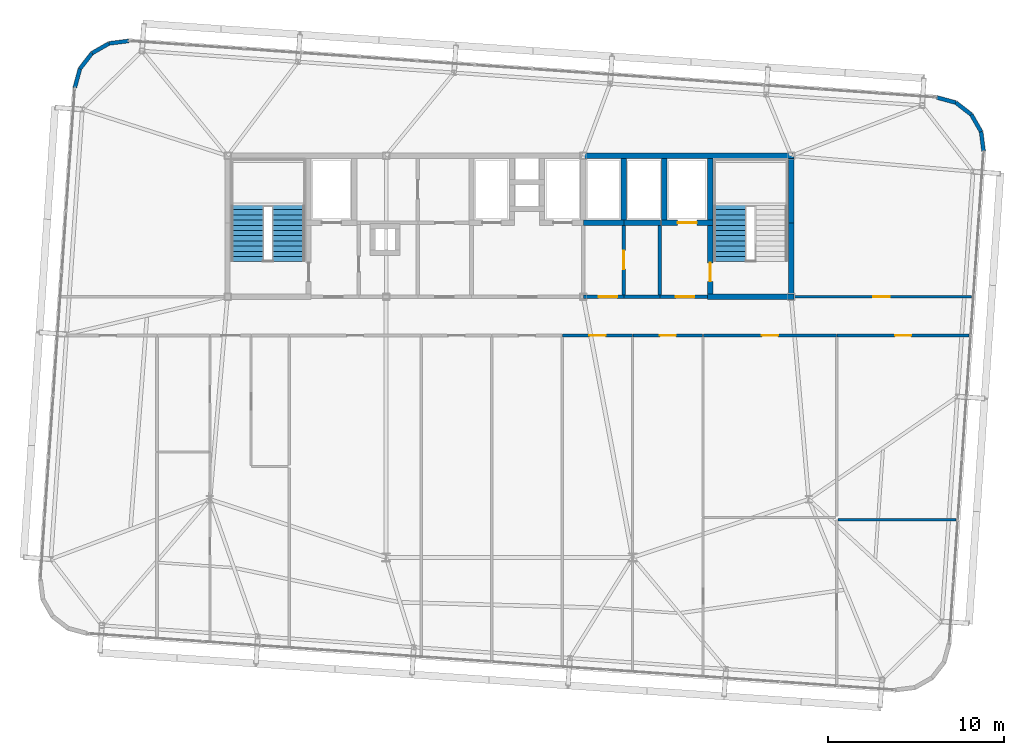
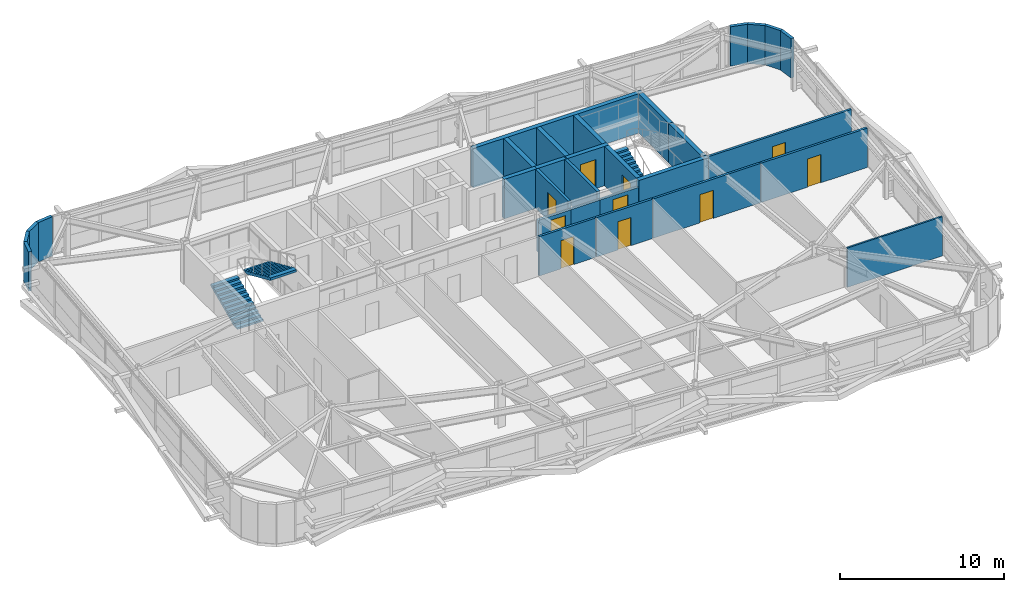
# One storey, part 43 of 47: 30 walls, 10 doors, 3 stair flights, 10 openings, 2 elements without a shape of their own.
"""IFC4 building model written with IfcOpenShell, lengths in metres."""

from ifc_helpers import new_model, si_unit, direction, frame, frame_2d, origin, place, context, subcontext, project, spatial, polyline, rectangle, outline, extrude, source, transform, mapped, material, layer, layer_set, type_object, element, fill, aggregate, save


model = new_model("IFC4")

# Units and contexts
model_context = context("Model", 3, precision=1e-05, world=origin(), true_north=direction((0.0, 1.0)))
body_context = subcontext(model_context, "Body", "Model", "MODEL_VIEW")
ifc_project = project(units=[si_unit("LENGTHUNIT", "METRE"), si_unit("AREAUNIT", "SQUARE_METRE"), si_unit("VOLUMEUNIT", "CUBIC_METRE"), si_unit("PLANEANGLEUNIT", "RADIAN"), si_unit("MASSUNIT", "GRAM", prefix="KILO")], contexts=[model_context])

# Site, building, storey
site_placement = place(None, origin())
site = spatial("IfcSite", under=ifc_project, at=site_placement, CompositionType="ELEMENT")
building_placement = place(site_placement, origin())
building = spatial("IfcBuilding", under=site, at=building_placement, Name="Taldren Reach Tower", CompositionType="ELEMENT")
storey_placement = place(building_placement, frame((0.0, 0.0, 139.300048828125)))
storey = spatial("IfcBuildingStorey", under=building, at=storey_placement, Name="L42", CompositionType="ELEMENT", Elevation=139.300048828125)

# Walls
ifc_material_1 = material(Name="Pale Champagne Anodised Aluminium Cladding", Category="aluminium")
ifc_layer_1 = layer(ifc_material_1, 0.04, Name="Pale Champagne Anodised Aluminium Cladding", Category="aluminium")
ifc_material_2 = material(Name="Mineral Wool Acoustic Insulation", Category="insulation")
ifc_layer_2 = layer(ifc_material_2, 0.06, Name="Mineral Wool Acoustic Insulation", Category="insulation")
ifc_material_3 = material(Name="Steel Gr 350 (C350L0)", Category="steel")
ifc_layer_3 = layer(ifc_material_3, 0.12, Name="Steel Gr 350 (C350L0)", Category="steel")
ifc_layer_set_1 = layer_set([ifc_layer_1, ifc_layer_2, ifc_layer_3], Name="Pale Champagne Aluminium Cladding and Steel Gr 350 Stud Framing")
wall_type_1 = type_object("IfcWallType", Name="EW-CRN-220", PredefinedType="SOLIDWALL", material=ifc_layer_set_1)
shared_shape_1 = source(origin(), body_context, "Body", "SweptSolid", [
    extrude(rectangle(XDim=1.115966796875, YDim=0.219970703125, at=frame_2d((0.55810546875, 0.0))), origin(), (0.0, 0.0, 1.0), 2.929931640625),
])
for number, where, z_axis, x_axis, name in (
    (1, (61.923583984375, 32.261962890625, 0.0), (0.0, 0.0, 1.0), (-0.126242535829, 0.991999406324, 0.0), "Rounded-corner pale-metal facade wall L42-NE1"),
    (2, (61.78271484375, 33.368896484375, 0.0), (0.0, 0.0, 1.0), (-0.496138938357, 0.868243142124, 0.0), "Rounded-corner pale-metal facade wall L42-NE2"),
    (3, (61.22900390625, 34.337890625, 0.0), (0.0, 0.0, 1.0), (-0.790716874741, 0.612182018684, 0.0), "Rounded-corner pale-metal facade wall L42-NE3"),
    (4, (60.3466796875, 35.02099609375, 0.0), (0.0, 0.0, 1.0), (-0.964804199372, 0.262969307856, 0.0), "Rounded-corner pale-metal facade wall L42-NE4"),
    (5, (13.382080078125, 38.5234375, 0.0), (0.0, 0.0, 1.0), (-0.991999406324, -0.126242535829, 0.0), "Rounded-corner pale-metal facade wall L42-NW1"),
    (6, (11.306396484375, 37.828857421875, 0.0), (0.0, 0.0, 1.0), (-0.612318787668, -0.790610967714, 0.0), "Rounded-corner pale-metal facade wall L42-NW3"),
    (7, (10.623046875, 36.946533203125, 0.0), (0.0, 0.0, 1.0), (-0.262969307856, -0.964804199372, 0.0), "Rounded-corner pale-metal facade wall L42-NW4"),
):
    element("IfcWall", number, at=place(storey_placement, frame(where, z_axis=z_axis, x_axis=x_axis)), inside=storey, type_object=wall_type_1, Name=name, PredefinedType="SOLIDWALL", context=body_context, shape_type="MappedRepresentation", body=[
        mapped(shared_shape_1, transform((0.0, 0.0, 0.0), scale=1.0)),
    ])
shared_shape_2 = source(origin(), body_context, "Body", "SweptSolid", [
    extrude(rectangle(XDim=1.11572265625, YDim=0.219970703125, at=frame_2d((0.557861328125, 0.0))), origin(), (0.0, 0.0, 1.0), 2.929931640625),
])
wall_1_placement = place(storey_placement, frame((12.275146484375, 38.382568359375, 0.0), z_axis=(0.0, 0.0, 1.0), x_axis=(-0.868189279113, -0.496233186751, 0.0)))
element("IfcWall", 8, at=wall_1_placement, inside=storey, type_object=wall_type_1, Name="Rounded-corner pale-metal facade wall L42-NW2", PredefinedType="SOLIDWALL", context=body_context, shape_type="MappedRepresentation", body=[
    mapped(shared_shape_2, transform((0.0, 0.0, 0.0), scale=1.0)),
])

# Wall, opening, door
ifc_material_4 = material(Name="Fire-Rated Acoustic Plasterboard Stud Wall", Category="gypsum")
ifc_layer_4 = layer(ifc_material_4, 0.159912109375)
ifc_layer_set_2 = layer_set([ifc_layer_4], Name="Fire-Rated Acoustic Plasterboard Stud Wall")
wall_type_2 = type_object("IfcWallType", Name="IW-FIRE-160", PredefinedType="PARTITIONING", material=ifc_layer_set_2)
shared_shape_3 = source(origin(), body_context, "Body", "SweptSolid", [
    extrude(rectangle(XDim=3.95947265625, YDim=0.159912109375, at=frame_2d((1.979736328125, 0.0))), origin(), (0.0, 0.0, 1.0), 2.929931640625),
])
wall_2_placement = place(storey_placement, frame((41.979736328125, 21.800048828125, 0.0), z_axis=(0.0, 0.0, 1.0), x_axis=(-1.0, 0.0, 0.0)))
wall_2 = element("IfcWall", 9, at=wall_2_placement, inside=storey, type_object=wall_type_2, Name="Interior Partition Wall W-INT-L42-053", PredefinedType="PARTITIONING", context=body_context, shape_type="MappedRepresentation", body=[
    mapped(shared_shape_3, transform((0.0, 0.0, 0.0), scale=1.0)),
])
shared_shape_4 = source(origin(), body_context, "Body", "SweptSolid", [
    extrude(rectangle(XDim=0.919921875, YDim=2.10009765625, at=frame_2d((0.4599609375, 1.050048828125))), frame((0.0, 0.08984375, 0.0), z_axis=(0.0, -1.0, 0.0), x_axis=(1.0, 0.0, 0.0)), (0.0, 0.0, 1.0), 0.179931640625),
])
opening_1_placement = place(wall_2_placement, frame((1.519775390625, 0.0, 0.0)))
opening_1 = element("IfcOpeningElement", 10, at=opening_1_placement, cuts=wall_2, Name="Opening DI-092", PredefinedType="OPENING", context=body_context, shape_type="MappedRepresentation", body=[
    mapped(shared_shape_4, transform((0.0, 0.0, 0.0), scale=1.0)),
])
ifc_material_5 = material(Name="Solid-Core Timber Suite Door", Category="wood")
door_type_1 = type_object("IfcDoorType", Name="ID-INT-092", OperationType="NOTDEFINED", PredefinedType="DOOR", material=ifc_material_5)
shared_shape_5 = source(origin(), body_context, "Body", "SweptSolid", [
    extrude(rectangle(XDim=0.919921875, YDim=2.10009765625, at=frame_2d((0.4599609375, 1.050048828125))), frame((0.0, 0.02490234375, 0.0), z_axis=(0.0, -1.0, 0.0), x_axis=(1.0, 0.0, 0.0)), (0.0, 0.0, 1.0), 0.050048828125),
])
door_1_placement = place(opening_1_placement, origin())
door_1 = element("IfcDoor", 11, at=door_1_placement, inside=storey, type_object=door_type_1, Name="Interior Door DR-L42-016", OperationType="SINGLE_SWING_LEFT", OverallHeight=2.10009765625, OverallWidth=0.919921875, PredefinedType="DOOR", context=body_context, shape_type="MappedRepresentation", body=[
    mapped(shared_shape_5, transform((0.0, 0.0, 0.0), scale=1.0)),
])
fill(opening_1, door_1)

wall_3_placement = place(storey_placement, frame((45.979736328125, 21.800048828125, 0.0), z_axis=(0.0, 0.0, 1.0), x_axis=(-1.0, 0.0, 0.0)))
wall_3 = element("IfcWall", 12, at=wall_3_placement, inside=storey, type_object=wall_type_2, Name="Interior Partition Wall W-INT-L42-054", PredefinedType="PARTITIONING", context=body_context, shape_type="MappedRepresentation", body=[
    mapped(shared_shape_3, transform((0.0, 0.0, 0.0), scale=1.0)),
])
opening_2_placement = place(wall_3_placement, frame((1.519775390625, 0.0, 0.0)))
opening_2 = element("IfcOpeningElement", 13, at=opening_2_placement, cuts=wall_3, Name="Opening DI-092", PredefinedType="OPENING", context=body_context, shape_type="MappedRepresentation", body=[
    mapped(shared_shape_4, transform((0.0, 0.0, 0.0), scale=1.0)),
])
door_2_placement = place(opening_2_placement, origin())
door_2 = element("IfcDoor", 14, at=door_2_placement, inside=storey, type_object=door_type_1, Name="Interior Door DR-L42-017", OperationType="SINGLE_SWING_RIGHT", OverallHeight=2.10009765625, OverallWidth=0.919921875, PredefinedType="DOOR", context=body_context, shape_type="MappedRepresentation", body=[
    mapped(shared_shape_5, transform((0.0, 0.0, 0.0), scale=1.0)),
])
fill(opening_2, door_2)

ifc_material_6 = material(Name="Concrete S50 (50 MPa)", Category="concrete")
ifc_layer_5 = layer(ifc_material_6, 0.199951171875)
ifc_layer_set_3 = layer_set([ifc_layer_5], Name="Concrete S50 (50 MPa)")
wall_type_3 = type_object("IfcWallType", Name="IW-CORE-200", PredefinedType="SOLIDWALL", material=ifc_layer_set_3)
shared_shape_6 = source(origin(), body_context, "Body", "SweptSolid", [
    extrude(rectangle(XDim=2.300048828125, YDim=0.199951171875, at=frame_2d((1.14990234375, 0.0))), origin(), (0.0, 0.0, 1.0), 2.39697265625),
])
wall_4_placement = place(storey_placement, frame((41.5, 24.0, 0.0), z_axis=(0.0, 0.0, 1.0), x_axis=(-1.0, 0.0, 0.0)))
wall_4 = element("IfcWall", 15, at=wall_4_placement, inside=storey, type_object=wall_type_3, Name="Rear Core Shear Wall W-INT-L42-044", PredefinedType="SOLIDWALL", context=body_context, shape_type="MappedRepresentation", body=[
    mapped(shared_shape_6, transform((0.0, 0.0, 0.0), scale=1.0)),
])
shared_shape_7 = source(origin(), body_context, "Body", "SweptSolid", [
    extrude(rectangle(XDim=1.050048828125, YDim=2.10009765625, at=frame_2d((0.52490234375, 1.050048828125))), frame((0.0, 0.10986328125, 0.0), z_axis=(0.0, -1.0, 0.0), x_axis=(1.0, 0.0, 0.0)), (0.0, 0.0, 1.0), 0.219970703125),
])
opening_3_placement = place(wall_4_placement, frame((0.375, 0.0, 0.0)))
opening_3 = element("IfcOpeningElement", 16, at=opening_3_placement, cuts=wall_4, Name="Opening DF-105", PredefinedType="OPENING", context=body_context, shape_type="MappedRepresentation", body=[
    mapped(shared_shape_7, transform((0.0, 0.0, 0.0), scale=1.0)),
])
ifc_material_7 = material(Name="Fire-Rated Care and Stair Exit Door")
door_type_2 = type_object("IfcDoorType", Name="ID-FIRE-105", OperationType="NOTDEFINED", PredefinedType="DOOR", material=ifc_material_7)
shared_shape_8 = source(origin(), body_context, "Body", "SweptSolid", [
    extrude(rectangle(XDim=1.050048828125, YDim=2.10009765625, at=frame_2d((0.52490234375, 1.050048828125))), frame((0.0, 0.02490234375, 0.0), z_axis=(0.0, -1.0, 0.0), x_axis=(1.0, 0.0, 0.0)), (0.0, 0.0, 1.0), 0.050048828125),
])
door_3_placement = place(opening_3_placement, frame((1.050048828125, 0.0, 0.0), z_axis=(0.0, 0.0, 1.0), x_axis=(-1.0, 0.0, 0.0)))
door_3 = element("IfcDoor", 17, at=door_3_placement, inside=storey, type_object=door_type_2, Name="Interior Door DR-L42-010", OperationType="SINGLE_SWING_RIGHT", OverallHeight=2.10009765625, OverallWidth=1.050048828125, PredefinedType="DOOR", context=body_context, shape_type="MappedRepresentation", body=[
    mapped(shared_shape_8, transform((0.0, 0.0, 0.0), scale=1.0)),
])
fill(opening_3, door_3)

# Walls
shared_shape_9 = source(origin(), body_context, "Body", "SweptSolid", [
    extrude(rectangle(XDim=2.050048828125, YDim=0.199951171875, at=frame_2d((1.02490234375, 0.0))), origin(), (0.0, 0.0, 1.0), 2.39697265625),
])
wall_5_placement = place(storey_placement, frame((43.550048828125, 24.0, 0.0), z_axis=(0.0, 0.0, 1.0), x_axis=(-1.0, 0.0, 0.0)))
element("IfcWall", 18, at=wall_5_placement, inside=storey, type_object=wall_type_3, Name="Rear Core Shear Wall W-INT-L42-045", PredefinedType="SOLIDWALL", context=body_context, shape_type="MappedRepresentation", body=[
    mapped(shared_shape_9, transform((0.0, 0.0, 0.0), scale=1.0)),
])
ifc_material_8 = material(Name="Concrete S65 (65 MPa)", Category="concrete")
ifc_layer_6 = layer(ifc_material_8, 0.300048828125)
ifc_layer_set_4 = layer_set([ifc_layer_6], Name="Concrete S65 (65 MPa)")
wall_type_4 = type_object("IfcWallType", Name="IW-CORE-300", PredefinedType="SHEAR", material=ifc_layer_set_4)
shared_shape_10 = source(origin(), body_context, "Body", "SweptSolid", [
    extrude(rectangle(XDim=11.949951171875, YDim=0.300048828125, at=frame_2d((5.97509765625, 0.0))), origin(), (0.0, 0.0, 1.0), 2.929931640625),
])
wall_6_placement = place(storey_placement, frame((39.199951171875, 32.0, 0.0), z_axis=(0.0, 0.0, 1.0), x_axis=(1.0, 0.0, 0.0)))
element("IfcWall", 19, at=wall_6_placement, inside=storey, type_object=wall_type_4, Name="Rear Core Shear Wall W-CORE-L42-NORTH3", PredefinedType="SHEAR", context=body_context, shape_type="MappedRepresentation", body=[
    mapped(shared_shape_10, transform((0.0, 0.0, 0.0), scale=1.0)),
])
shared_shape_11 = source(origin(), body_context, "Body", "SweptSolid", [
    extrude(rectangle(XDim=4.050048828125, YDim=0.300048828125, at=frame_2d((2.02490234375, 0.0))), origin(), (0.0, 0.0, 1.0), 2.929931640625),
])
wall_7_placement = place(storey_placement, frame((51.0, 24.14990234375, 0.0), z_axis=(0.0, 0.0, 1.0), x_axis=(0.0, 1.0, 0.0)))
element("IfcWall", 20, at=wall_7_placement, inside=storey, type_object=wall_type_4, Name="Rear Core Shear Wall W-CORE-L42-EAST1", PredefinedType="SHEAR", context=body_context, shape_type="MappedRepresentation", body=[
    mapped(shared_shape_11, transform((0.0, 0.0, 0.0), scale=1.0)),
])
shared_shape_12 = source(origin(), body_context, "Body", "SweptSolid", [
    extrude(rectangle(XDim=3.650146484375, YDim=0.300048828125, at=frame_2d((1.8251953125, 0.0))), origin(), (0.0, 0.0, 1.0), 2.929931640625),
])
wall_8_placement = place(storey_placement, frame((51.0, 28.199951171875, 0.0), z_axis=(0.0, 0.0, 1.0), x_axis=(0.0, 1.0, 0.0)))
element("IfcWall", 21, at=wall_8_placement, inside=storey, type_object=wall_type_4, Name="Rear Core Shear Wall W-CORE-L42-EAST2", PredefinedType="SHEAR", context=body_context, shape_type="MappedRepresentation", body=[
    mapped(shared_shape_12, transform((0.0, 0.0, 0.0), scale=1.0)),
])
shared_shape_13 = source(origin(), body_context, "Body", "SweptSolid", [
    extrude(rectangle(XDim=3.5, YDim=0.300048828125, at=frame_2d((1.75, 0.0))), origin(), (0.0, 0.0, 1.0), 2.929931640625),
])
for number, where, z_axis, x_axis, name in (
    (22, (46.39990234375, 31.85009765625, 0.0), (0.0, 0.0, 1.0), (0.0, -1.0, 0.0), "Rear Core Shear Wall W-INT-L42-008"),
    (23, (43.800048828125, 31.85009765625, 0.0), (0.0, 0.0, 1.0), (0.0, -1.0, 0.0), "Rear Core Shear Wall W-INT-L42-012"),
    (24, (41.5, 28.35009765625, 0.0), (0.0, 0.0, 1.0), (0.0, 1.0, 0.0), "Rear Core Shear Wall W-INT-L42-034"),
):
    element("IfcWall", number, at=place(storey_placement, frame(where, z_axis=z_axis, x_axis=x_axis)), inside=storey, type_object=wall_type_4, Name=name, PredefinedType="SHEAR", context=body_context, shape_type="MappedRepresentation", body=[
        mapped(shared_shape_13, transform((0.0, 0.0, 0.0), scale=1.0)),
    ])

# Wall, opening, door
shared_shape_14 = source(origin(), body_context, "Body", "SweptSolid", [
    extrude(rectangle(XDim=3.900146484375, YDim=0.300048828125, at=frame_2d((1.9501953125, 0.0))), origin(), (0.0, 0.0, 1.0), 2.929931640625),
])
wall_9_placement = place(storey_placement, frame((46.39990234375, 28.050048828125, 0.0), z_axis=(0.0, 0.0, 1.0), x_axis=(0.0, -1.0, 0.0)))
wall_9 = element("IfcWall", 25, at=wall_9_placement, inside=storey, type_object=wall_type_4, Name="Rear Core Shear Wall W-INT-L42-009", PredefinedType="SHEAR", context=body_context, shape_type="MappedRepresentation", body=[
    mapped(shared_shape_14, transform((0.0, 0.0, 0.0), scale=1.0)),
])
shared_shape_15 = source(origin(), body_context, "Body", "SweptSolid", [
    extrude(rectangle(XDim=1.050048828125, YDim=2.10009765625, at=frame_2d((0.52490234375, 1.050048828125))), frame((0.0, 0.16015625, 0.0), z_axis=(0.0, -1.0, 0.0), x_axis=(1.0, 0.0, 0.0)), (0.0, 0.0, 1.0), 0.320068359375),
])
opening_4_placement = place(wall_9_placement, frame((2.125, 0.0, 0.0)))
opening_4 = element("IfcOpeningElement", 26, at=opening_4_placement, cuts=wall_9, Name="Opening DF-105", PredefinedType="OPENING", context=body_context, shape_type="MappedRepresentation", body=[
    mapped(shared_shape_15, transform((0.0, 0.0, 0.0), scale=1.0)),
])
door_4_placement = place(opening_4_placement, origin())
door_4 = element("IfcDoor", 27, at=door_4_placement, inside=storey, type_object=door_type_2, Name="Fire Exit Stair Door DR-L42-003", OperationType="SINGLE_SWING_RIGHT", OverallHeight=2.10009765625, OverallWidth=1.050048828125, PredefinedType="DOOR", context=body_context, shape_type="MappedRepresentation", body=[
    mapped(shared_shape_8, transform((0.0, 0.0, 0.0), scale=1.0)),
])
fill(opening_4, door_4)

# Wall
shared_shape_16 = source(origin(), body_context, "Body", "SweptSolid", [
    extrude(rectangle(XDim=4.89990234375, YDim=0.300048828125, at=frame_2d((2.449951171875, 0.0))), origin(), (0.0, 0.0, 1.0), 2.929931640625),
])
wall_10_placement = place(storey_placement, frame((46.25, 24.0, 0.0), z_axis=(0.0, 0.0, 1.0), x_axis=(1.0, 0.0, 0.0)))
element("IfcWall", 28, at=wall_10_placement, inside=storey, type_object=wall_type_4, Name="Rear Core Shear Wall W-INT-L42-010", PredefinedType="SHEAR", context=body_context, shape_type="MappedRepresentation", body=[
    mapped(shared_shape_16, transform((0.0, 0.0, 0.0), scale=1.0)),
])

# Wall, opening, door
shared_shape_17 = source(origin(), body_context, "Body", "SweptSolid", [
    extrude(rectangle(XDim=2.900146484375, YDim=0.300048828125, at=frame_2d((1.4501953125, 0.0))), origin(), (0.0, 0.0, 1.0), 2.929931640625),
])
wall_11_placement = place(storey_placement, frame((43.64990234375, 28.199951171875, 0.0), z_axis=(0.0, 0.0, 1.0), x_axis=(1.0, 0.0, 0.0)))
wall_11 = element("IfcWall", 29, at=wall_11_placement, inside=storey, type_object=wall_type_4, Name="Rear Core Shear Wall W-INT-L42-011", PredefinedType="SHEAR", context=body_context, shape_type="MappedRepresentation", body=[
    mapped(shared_shape_17, transform((0.0, 0.0, 0.0), scale=1.0)),
])
shared_shape_18 = source(origin(), body_context, "Body", "SweptSolid", [
    extrude(rectangle(XDim=1.10009765625, YDim=2.14990234375, at=frame_2d((0.550048828125, 1.074951171875))), frame((0.0, 0.16015625, 0.0), z_axis=(0.0, -1.0, 0.0), x_axis=(1.0, 0.0, 0.0)), (0.0, 0.0, 1.0), 0.320068359375),
])
opening_5_placement = place(wall_11_placement, frame((0.89990234375, 0.0, 0.0)))
opening_5 = element("IfcOpeningElement", 30, at=opening_5_placement, cuts=wall_11, Name="Opening LD-FL2", PredefinedType="OPENING", context=body_context, shape_type="MappedRepresentation", body=[
    mapped(shared_shape_18, transform((0.0, 0.0, 0.0), scale=1.0)),
])
ifc_material_9 = material(Name="Stainless Steel Gr 316 Emergency Lift Landing Door", Category="steel")
door_type_3 = type_object("IfcDoorType", Name="LD-EMG-110", OperationType="SLIDING_TO_LEFT", PredefinedType="DOOR", material=ifc_material_9)
shared_shape_19 = source(origin(), body_context, "Body", "SweptSolid", [
    extrude(rectangle(XDim=1.10009765625, YDim=2.14990234375, at=frame_2d((0.550048828125, 1.074951171875))), frame((0.0, 0.02490234375, 0.0), z_axis=(0.0, -1.0, 0.0), x_axis=(1.0, 0.0, 0.0)), (0.0, 0.0, 1.0), 0.050048828125),
])
door_5_placement = place(opening_5_placement, origin())
door_5 = element("IfcDoor", 31, at=door_5_placement, inside=storey, type_object=door_type_3, Name="Lift Landing Door LD-FL2-L42", OperationType="SLIDING_TO_LEFT", OverallHeight=2.14990234375, OverallWidth=1.10009765625, PredefinedType="DOOR", context=body_context, shape_type="MappedRepresentation", body=[
    mapped(shared_shape_19, transform((0.0, 0.0, 0.0), scale=1.0)),
])
fill(opening_5, door_5)

# Wall
shared_shape_20 = source(origin(), body_context, "Body", "SweptSolid", [
    extrude(rectangle(XDim=3.949951171875, YDim=0.199951171875, at=frame_2d((1.97509765625, 0.0))), origin(), (0.0, 0.0, 1.0), 2.929931640625),
])
wall_12_placement = place(storey_placement, frame((43.550048828125, 28.050048828125, 0.0), z_axis=(0.0, 0.0, 1.0), x_axis=(0.0, -1.0, 0.0)))
element("IfcWall", 32, at=wall_12_placement, inside=storey, type_object=wall_type_3, Name="Rear Core Shear Wall W-INT-L42-013", PredefinedType="SOLIDWALL", context=body_context, shape_type="MappedRepresentation", body=[
    mapped(shared_shape_20, transform((0.0, 0.0, 0.0), scale=1.0)),
])

# Wall, opening, door
wall_13_placement = place(storey_placement, frame((41.5, 28.050048828125, 0.0), z_axis=(0.0, 0.0, 1.0), x_axis=(0.0, -1.0, 0.0)))
wall_13 = element("IfcWall", 33, at=wall_13_placement, inside=storey, type_object=wall_type_3, Name="Rear Core Shear Wall W-INT-L42-043", PredefinedType="SOLIDWALL", context=body_context, shape_type="MappedRepresentation", body=[
    mapped(shared_shape_20, transform((0.0, 0.0, 0.0), scale=1.0)),
])
opening_6_placement = place(wall_13_placement, frame((1.425048828125, 0.0, 0.0)))
opening_6 = element("IfcOpeningElement", 34, at=opening_6_placement, cuts=wall_13, Name="Opening DF-105", PredefinedType="OPENING", context=body_context, shape_type="MappedRepresentation", body=[
    mapped(shared_shape_7, transform((0.0, 0.0, 0.0), scale=1.0)),
])
door_6_placement = place(opening_6_placement, frame((1.050048828125, 0.0, 0.0), z_axis=(0.0, 0.0, 1.0), x_axis=(-1.0, 0.0, 0.0)))
door_6 = element("IfcDoor", 35, at=door_6_placement, inside=storey, type_object=door_type_2, Name="Interior Door DR-L42-009", OperationType="SINGLE_SWING_LEFT", OverallHeight=2.10009765625, OverallWidth=1.050048828125, PredefinedType="DOOR", context=body_context, shape_type="MappedRepresentation", body=[
    mapped(shared_shape_8, transform((0.0, 0.0, 0.0), scale=1.0)),
])
fill(opening_6, door_6)

shared_shape_21 = source(origin(), body_context, "Body", "SweptSolid", [
    extrude(rectangle(XDim=2.699951171875, YDim=0.199951171875, at=frame_2d((1.35009765625, 0.0))), origin(), (0.0, 0.0, 1.0), 2.39697265625),
])
wall_14_placement = place(storey_placement, frame((43.550048828125, 24.0, 0.0), z_axis=(0.0, 0.0, 1.0), x_axis=(1.0, 0.0, 0.0)))
wall_14 = element("IfcWall", 36, at=wall_14_placement, inside=storey, type_object=wall_type_3, Name="Rear Core Shear Wall W-INT-L42-014", PredefinedType="SOLIDWALL", context=body_context, shape_type="MappedRepresentation", body=[
    mapped(shared_shape_21, transform((0.0, 0.0, 0.0), scale=1.0)),
])
opening_7_placement = place(wall_14_placement, frame((0.89990234375, 0.0, 0.0)))
opening_7 = element("IfcOpeningElement", 37, at=opening_7_placement, cuts=wall_14, Name="Opening DF-105", PredefinedType="OPENING", context=body_context, shape_type="MappedRepresentation", body=[
    mapped(shared_shape_7, transform((0.0, 0.0, 0.0), scale=1.0)),
])
door_7_placement = place(opening_7_placement, origin())
door_7 = element("IfcDoor", 38, at=door_7_placement, inside=storey, type_object=door_type_2, Name="Interior Door DR-L42-004", OperationType="SINGLE_SWING_LEFT", OverallHeight=2.10009765625, OverallWidth=1.050048828125, PredefinedType="DOOR", context=body_context, shape_type="MappedRepresentation", body=[
    mapped(shared_shape_8, transform((0.0, 0.0, 0.0), scale=1.0)),
])
fill(opening_7, door_7)

# Walls
shared_shape_22 = source(origin(), body_context, "Body", "SweptSolid", [
    extrude(rectangle(XDim=2.070068359375, YDim=0.300048828125, at=frame_2d((1.03515625, 0.0))), origin(), (0.0, 0.0, 1.0), 2.929931640625),
])
wall_15_placement = place(storey_placement, frame((41.5, 28.199951171875, 0.0), z_axis=(0.0, 0.0, 1.0), x_axis=(1.0, 0.0, 0.0)))
element("IfcWall", 39, at=wall_15_placement, inside=storey, type_object=wall_type_4, Name="Rear Core Shear Wall W-INT-L42-036", PredefinedType="SHEAR", context=body_context, shape_type="MappedRepresentation", body=[
    mapped(shared_shape_22, transform((0.0, 0.0, 0.0), scale=1.0)),
])
shared_shape_23 = source(origin(), body_context, "Body", "SweptSolid", [
    extrude(rectangle(XDim=2.300048828125, YDim=0.300048828125, at=frame_2d((1.14990234375, 0.0))), origin(), (0.0, 0.0, 1.0), 2.929931640625),
])
wall_16_placement = place(storey_placement, frame((39.199951171875, 28.199951171875, 0.0), z_axis=(0.0, 0.0, 1.0), x_axis=(1.0, 0.0, 0.0)))
element("IfcWall", 40, at=wall_16_placement, inside=storey, type_object=wall_type_4, Name="Rear Core Shear Wall W-INT-L42-035", PredefinedType="SHEAR", context=body_context, shape_type="MappedRepresentation", body=[
    mapped(shared_shape_23, transform((0.0, 0.0, 0.0), scale=1.0)),
])

# Wall, opening, door
shared_shape_24 = source(origin(), body_context, "Body", "SweptSolid", [
    extrude(rectangle(XDim=10.10009765625, YDim=0.159912109375, at=frame_2d((5.050048828125, 0.0))), origin(), (0.0, 0.0, 1.0), 2.929931640625),
])
wall_17_placement = place(storey_placement, frame((51.14990234375, 24.0, 0.0), z_axis=(0.0, 0.0, 1.0), x_axis=(1.0, 0.0, 0.0)))
wall_17 = element("IfcWall", 41, at=wall_17_placement, inside=storey, type_object=wall_type_2, Name="Interior Partition Wall W-INT-L42-057", PredefinedType="PARTITIONING", context=body_context, shape_type="MappedRepresentation", body=[
    mapped(shared_shape_24, transform((0.0, 0.0, 0.0), scale=1.0)),
])
opening_8_placement = place(wall_17_placement, frame((4.525146484375, 0.0, 0.0)))
opening_8 = element("IfcOpeningElement", 42, at=opening_8_placement, cuts=wall_17, Name="Opening DI-092", PredefinedType="OPENING", context=body_context, shape_type="MappedRepresentation", body=[
    mapped(shared_shape_4, transform((0.0, 0.0, 0.0), scale=1.0)),
])
door_8_placement = place(opening_8_placement, origin())
door_8 = element("IfcDoor", 43, at=door_8_placement, inside=storey, type_object=door_type_1, Name="Interior Door DR-L42-020", OperationType="SINGLE_SWING_LEFT", OverallHeight=2.10009765625, OverallWidth=0.919921875, PredefinedType="DOOR", context=body_context, shape_type="MappedRepresentation", body=[
    mapped(shared_shape_5, transform((0.0, 0.0, 0.0), scale=1.0)),
])
fill(opening_8, door_8)

shared_shape_25 = source(origin(), body_context, "Body", "SweptSolid", [
    extrude(rectangle(XDim=7.546630859375, YDim=0.159912109375, at=frame_2d((3.7734375, 0.0))), origin(), (0.0, 0.0, 1.0), 2.929931640625),
])
wall_18_placement = place(storey_placement, frame((53.5673828125, 21.800048828125, 0.0), z_axis=(0.0, 0.0, 1.0), x_axis=(-1.0, 0.0, 0.0)))
wall_18 = element("IfcWall", 44, at=wall_18_placement, inside=storey, type_object=wall_type_2, Name="Interior Partition Wall W-INT-L42-055", PredefinedType="PARTITIONING", context=body_context, shape_type="MappedRepresentation", body=[
    mapped(shared_shape_25, transform((0.0, 0.0, 0.0), scale=1.0)),
])
opening_9_placement = place(wall_18_placement, frame((3.3134765625, 0.0, 0.0)))
opening_9 = element("IfcOpeningElement", 45, at=opening_9_placement, cuts=wall_18, Name="Opening DI-092", PredefinedType="OPENING", context=body_context, shape_type="MappedRepresentation", body=[
    mapped(shared_shape_4, transform((0.0, 0.0, 0.0), scale=1.0)),
])
door_9_placement = place(opening_9_placement, origin())
door_9 = element("IfcDoor", 46, at=door_9_placement, inside=storey, type_object=door_type_1, Name="Interior Door DR-L42-018", OperationType="SINGLE_SWING_LEFT", OverallHeight=2.10009765625, OverallWidth=0.919921875, PredefinedType="DOOR", context=body_context, shape_type="MappedRepresentation", body=[
    mapped(shared_shape_5, transform((0.0, 0.0, 0.0), scale=1.0)),
])
fill(opening_9, door_9)

shared_shape_26 = source(origin(), body_context, "Body", "SweptSolid", [
    extrude(rectangle(XDim=7.498779296875, YDim=0.159912109375, at=frame_2d((3.74951171875, 0.0))), origin(), (0.0, 0.0, 1.0), 2.929931640625),
])
wall_19_placement = place(storey_placement, frame((61.107421875, 21.800048828125, 0.0), z_axis=(0.0, 0.0, 1.0), x_axis=(-1.0, 0.0, 0.0)))
wall_19 = element("IfcWall", 47, at=wall_19_placement, inside=storey, type_object=wall_type_2, Name="Interior Partition Wall W-INT-L42-056", PredefinedType="PARTITIONING", context=body_context, shape_type="MappedRepresentation", body=[
    mapped(shared_shape_26, transform((0.0, 0.0, 0.0), scale=1.0)),
])
opening_10_placement = place(wall_19_placement, frame((3.289306640625, 0.0, 0.0)))
opening_10 = element("IfcOpeningElement", 48, at=opening_10_placement, cuts=wall_19, Name="Opening DI-092", PredefinedType="OPENING", context=body_context, shape_type="MappedRepresentation", body=[
    mapped(shared_shape_4, transform((0.0, 0.0, 0.0), scale=1.0)),
])
door_10_placement = place(opening_10_placement, origin())
door_10 = element("IfcDoor", 49, at=door_10_placement, inside=storey, type_object=door_type_1, Name="Interior Door DR-L42-019", OperationType="SINGLE_SWING_RIGHT", OverallHeight=2.10009765625, OverallWidth=0.919921875, PredefinedType="DOOR", context=body_context, shape_type="MappedRepresentation", body=[
    mapped(shared_shape_5, transform((0.0, 0.0, 0.0), scale=1.0)),
])
fill(opening_10, door_10)

# Wall
ifc_material_10 = material(Name="Insulated Residential Stud Partition", Category="gypsum")
ifc_layer_7 = layer(ifc_material_10, 0.1201171875)
ifc_layer_set_5 = layer_set([ifc_layer_7], Name="Insulated Residential Stud Partition")
wall_type_5 = type_object("IfcWallType", Name="IW-PART-120", PredefinedType="PARTITIONING", material=ifc_layer_set_5)
shared_shape_27 = source(origin(), body_context, "Body", "SweptSolid", [
    extrude(rectangle(XDim=6.69677734375, YDim=0.1201171875, at=frame_2d((3.348388671875, 0.0))), origin(), (0.0, 0.0, 1.0), 2.929931640625),
])
wall_20_placement = place(storey_placement, frame((53.668212890625, 11.341796875, 0.0), z_axis=(0.0, 0.0, 1.0), x_axis=(1.0, 0.0, 0.0)))
element("IfcWall", 50, at=wall_20_placement, inside=storey, type_object=wall_type_5, Name="Interior Partition Wall W-INT-L42-077", PredefinedType="PARTITIONING", context=body_context, shape_type="MappedRepresentation", body=[
    mapped(shared_shape_27, transform((0.0, 0.0, 0.0), scale=1.0)),
])

# Stair, stair flights
stair_type = type_object("IfcStairType", Name="ST-HT-315", PredefinedType="HALF_TURN_STAIR", material=ifc_material_6)
stair_1_placement = place(storey_placement, origin())
stair_1 = element("IfcStair", 51, at=stair_1_placement, inside=storey, type_object=stair_type, Name="Fire-isolated exit stair ST1 L42", PredefinedType="HALF_TURN_STAIR")
stair_flight_type = type_object("IfcStairFlightType", Name="SF-STR-315", PredefinedType="STRAIGHT", material=ifc_material_6)
stair_flight_1_placement = place(storey_placement, frame((20.139892578125, 25.989990234375, 0.0), z_axis=(0.0, 0.0, 1.0), x_axis=(0.0, 1.0, 0.0)))
stair_flight_1 = element("IfcStairFlight", 52, at=stair_flight_1_placement, type_object=stair_flight_type, Name="ST1 flight 1", NumberOfRisers=12, NumberOfTreads=11, PredefinedType="STRAIGHT", RiserHeight=0.13125, TreadLength=0.295, context=body_context, shape_type="SweptSolid", body=[
    extrude(outline(polyline([(0.0, 0.0), (0.0, 0.13134765625), (0.294921875, 0.13134765625), (0.294921875, 0.262451171875), (0.590087890625, 0.262451171875), (0.590087890625, 0.393798828125), (0.885009765625, 0.393798828125), (0.885009765625, 0.52490234375), (1.179931640625, 0.52490234375), (1.179931640625, 0.65625), (1.47509765625, 0.65625), (1.47509765625, 0.78759765625), (1.77001953125, 0.78759765625), (1.77001953125, 0.918701171875), (2.06494140625, 0.918701171875), (2.06494140625, 1.050048828125), (2.360107421875, 1.050048828125), (2.360107421875, 1.18115234375), (2.655029296875, 1.18115234375), (2.655029296875, 1.3125), (2.949951171875, 1.3125), (2.949951171875, 1.44384765625), (3.2451171875, 1.44384765625), (3.2451171875, 1.574951171875), (3.2451171875, 1.268798828125), (0.393310546875, 0.0), (0.0, 0.0)])), frame((0.0, 0.919921875, 0.0), z_axis=(0.0, -1.0, 0.0), x_axis=(1.0, 0.0, 0.0)), (0.0, 0.0, 1.0), 1.840087890625),
])
stair_flight_2_placement = place(storey_placement, frame((22.4599609375, 29.235107421875, 1.574951171875), z_axis=(0.0, 0.0, 1.0), x_axis=(0.0, -1.0, 0.0)))
stair_flight_2 = element("IfcStairFlight", 53, at=stair_flight_2_placement, type_object=stair_flight_type, Name="ST1 flight 2", NumberOfRisers=12, NumberOfTreads=11, PredefinedType="STRAIGHT", RiserHeight=0.13125, TreadLength=0.295, context=body_context, shape_type="SweptSolid", body=[
    extrude(outline(polyline([(0.0, 0.0), (0.0, 0.13134765625), (0.294921875, 0.13134765625), (0.294921875, 0.262451171875), (0.590087890625, 0.262451171875), (0.590087890625, 0.393798828125), (0.885009765625, 0.393798828125), (0.885009765625, 0.52490234375), (1.179931640625, 0.52490234375), (1.179931640625, 0.65625), (1.47509765625, 0.65625), (1.47509765625, 0.78759765625), (1.77001953125, 0.78759765625), (1.77001953125, 0.918701171875), (2.06494140625, 0.918701171875), (2.06494140625, 1.050048828125), (2.360107421875, 1.050048828125), (2.360107421875, 1.18115234375), (2.655029296875, 1.18115234375), (2.655029296875, 1.3125), (2.949951171875, 1.3125), (2.949951171875, 1.44384765625), (3.2451171875, 1.44384765625), (3.2451171875, 1.574951171875), (3.2451171875, 1.268798828125), (0.393310546875, 0.0), (0.0, 0.0)])), frame((0.0, 0.919921875, 0.0), z_axis=(0.0, -1.0, 0.0), x_axis=(1.0, 0.0, 0.0)), (0.0, 0.0, 1.0), 1.840087890625),
])
aggregate(stair_1, [stair_flight_1, stair_flight_2])

# Stair, stair flight
stair_2_placement = place(storey_placement, origin())
stair_2 = element("IfcStair", 54, at=stair_2_placement, inside=storey, type_object=stair_type, Name="Fire-isolated exit stair ST2 L42", PredefinedType="HALF_TURN_STAIR")
stair_flight_3_placement = place(storey_placement, frame((47.5400390625, 25.989990234375, 0.0), z_axis=(0.0, 0.0, 1.0), x_axis=(0.0, 1.0, 0.0)))
stair_flight_3 = element("IfcStairFlight", 55, at=stair_flight_3_placement, type_object=stair_flight_type, Name="ST2 flight 1", NumberOfRisers=12, NumberOfTreads=11, PredefinedType="STRAIGHT", RiserHeight=0.13125, TreadLength=0.295, context=body_context, shape_type="SweptSolid", body=[
    extrude(outline(polyline([(0.0, 0.0), (0.0, 0.13134765625), (0.294921875, 0.13134765625), (0.294921875, 0.262451171875), (0.590087890625, 0.262451171875), (0.590087890625, 0.393798828125), (0.885009765625, 0.393798828125), (0.885009765625, 0.52490234375), (1.179931640625, 0.52490234375), (1.179931640625, 0.65625), (1.47509765625, 0.65625), (1.47509765625, 0.78759765625), (1.77001953125, 0.78759765625), (1.77001953125, 0.918701171875), (2.06494140625, 0.918701171875), (2.06494140625, 1.050048828125), (2.360107421875, 1.050048828125), (2.360107421875, 1.18115234375), (2.655029296875, 1.18115234375), (2.655029296875, 1.3125), (2.949951171875, 1.3125), (2.949951171875, 1.44384765625), (3.2451171875, 1.44384765625), (3.2451171875, 1.574951171875), (3.2451171875, 1.268798828125), (0.393310546875, 0.0), (0.0, 0.0)])), frame((0.0, 0.919921875, 0.0), z_axis=(0.0, -1.0, 0.0), x_axis=(1.0, 0.0, 0.0)), (0.0, 0.0, 1.0), 1.840087890625),
])
aggregate(stair_2, [stair_flight_3])

save(model, "model.ifc")
